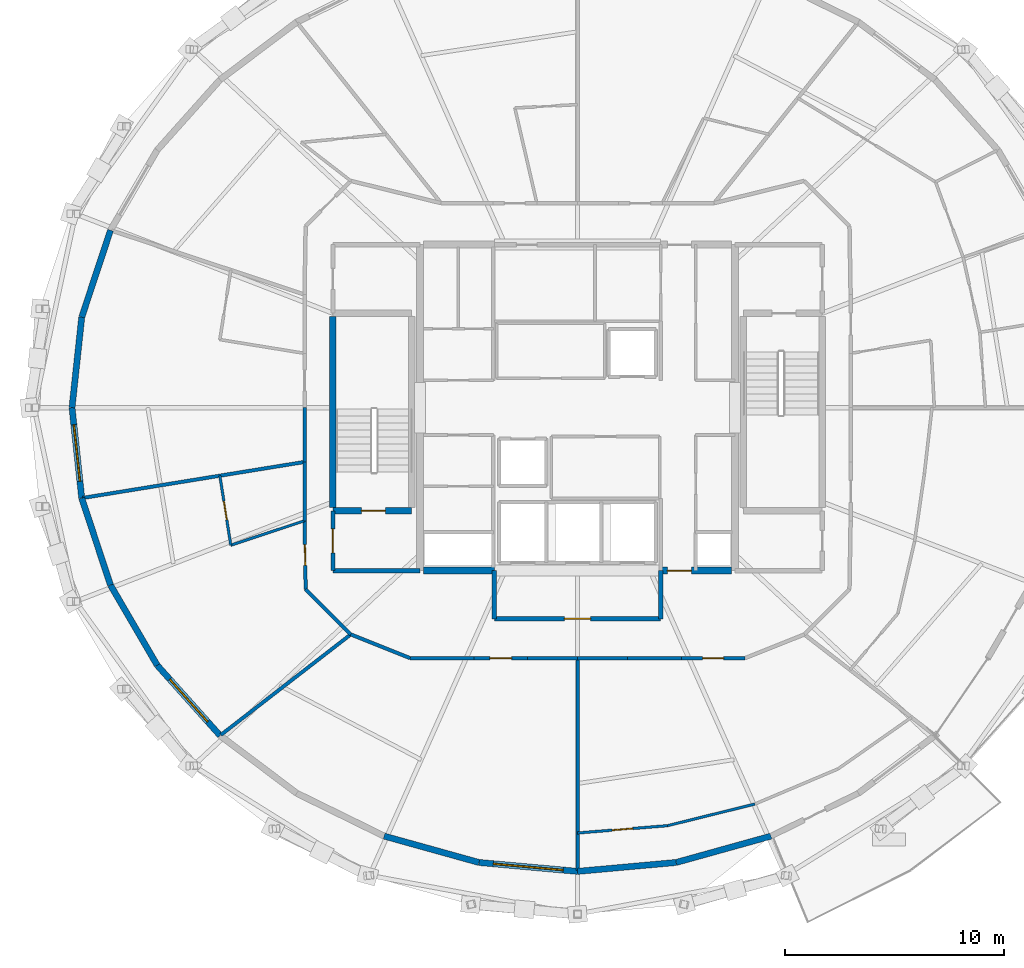
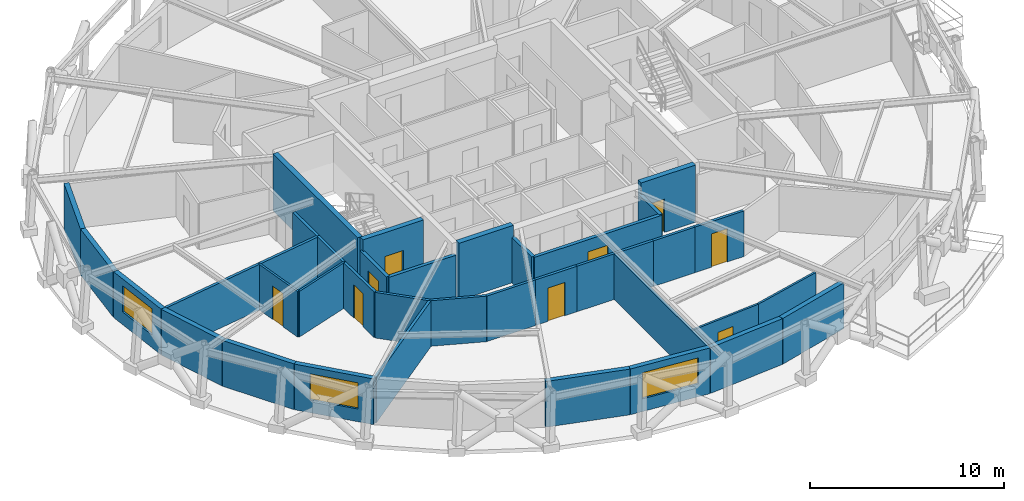
# One storey, part 7 of 12: 37 walls, 9 doors, 3 windows, 12 openings.
"""IFC4 building model written with IfcOpenShell, lengths in metres."""

from ifc_helpers import new_model, si_unit, direction, frame, frame_2d, origin, place, context, subcontext, project, spatial, rectangle, extrude, material, layer, layer_set, type_object, element, fill, save


model = new_model("IFC4")

# Units and contexts
model_context = context("Model", 3, precision=1e-05, world=origin(), true_north=direction((0.0, 1.0)))
body_context = subcontext(model_context, "Body", "Model", "MODEL_VIEW")
ifc_project = project(units=[si_unit("LENGTHUNIT", "METRE"), si_unit("AREAUNIT", "SQUARE_METRE"), si_unit("VOLUMEUNIT", "CUBIC_METRE"), si_unit("PLANEANGLEUNIT", "RADIAN"), si_unit("MASSUNIT", "GRAM", prefix="KILO")], contexts=[model_context])

# Site, building, storey
site_placement = place(None, origin())
site = spatial("IfcSite", under=ifc_project, at=site_placement, CompositionType="ELEMENT")
building_placement = place(site_placement, origin())
building = spatial("IfcBuilding", under=site, at=building_placement, Name="Veldorina Hangang Commons", CompositionType="ELEMENT")
storey_placement = place(building_placement, frame((0.0, 0.0, 222.0)))
storey = spatial("IfcBuildingStorey", under=building, at=storey_placement, Name="L57", CompositionType="ELEMENT", Elevation=222.0)

# Wall
ifc_material_1 = material(Name="Concrete C50/60", Category="concrete")
ifc_layer_1 = layer(ifc_material_1, 0.320068359375)
ifc_layer_set_1 = layer_set([ifc_layer_1], Name="Concrete C50/60")
wall_type_1 = type_object("IfcWallType", Name="CW-RC320-C50", PredefinedType="SHEAR", material=ifc_layer_set_1)
wall_1_placement = place(storey_placement, frame((24.9599609375, 16.550048828125, 0.0), z_axis=(0.0, 0.0, 1.0), x_axis=(1.0, 0.0, 0.0)))
element("IfcWall", 1, at=wall_1_placement, inside=storey, type_object=wall_type_1, Name="L57 south-west core shear wall", PredefinedType="SHEAR", context=body_context, shape_type="SweptSolid", body=[
    extrude(rectangle(XDim=3.239990234375, YDim=0.320068359375, at=frame_2d((1.6201171875, 0.0))), origin(), (0.0, 0.0, 1.0), 3.60009765625),
])

# Wall, opening, door
wall_2_placement = place(storey_placement, frame((35.800048828125, 16.550048828125, 0.0), z_axis=(0.0, 0.0, 1.0), x_axis=(1.0, 0.0, 0.0)))
wall_2 = element("IfcWall", 2, at=wall_2_placement, inside=storey, type_object=wall_type_1, Name="L57 south-east core shear wall", PredefinedType="SHEAR", context=body_context, shape_type="SweptSolid", body=[
    extrude(rectangle(XDim=3.239990234375, YDim=0.320068359375, at=frame_2d((1.6201171875, 0.0))), origin(), (0.0, 0.0, 1.0), 3.60009765625),
])
opening_1_placement = place(wall_2_placement, frame((0.300048828125, 0.0, 0.0)))
opening_1 = element("IfcOpeningElement", 3, at=opening_1_placement, cuts=wall_2, Name="Opening D-08", PredefinedType="OPENING", context=body_context, shape_type="SweptSolid", body=[
    extrude(rectangle(XDim=1.10009765625, YDim=2.10009765625, at=frame_2d((0.550048828125, 1.050048828125))), frame((0.0, 0.169921875, 0.0), z_axis=(0.0, -1.0, 0.0), x_axis=(1.0, 0.0, 0.0)), (0.0, 0.0, 1.0), 0.340087890625),
])
ifc_material_2 = material(Name="Steel Fire-Rated Smoke Seal", Category="steel")
door_type_1 = type_object("IfcDoorType", Name="DR-FIRE-1100", OperationType="SINGLE_SWING_RIGHT", PredefinedType="DOOR", material=ifc_material_2)
door_1_placement = place(opening_1_placement, origin())
door_1 = element("IfcDoor", 4, at=door_1_placement, inside=storey, type_object=door_type_1, Name="L57 central lift lobby south corridor door", OperationType="SINGLE_SWING_RIGHT", OverallHeight=2.10009765625, OverallWidth=1.10009765625, PredefinedType="DOOR", context=body_context, shape_type="SweptSolid", body=[
    extrude(rectangle(XDim=1.10009765625, YDim=2.10009765625, at=frame_2d((0.550048828125, 1.050048828125))), frame((0.0, 0.02490234375, 0.0), z_axis=(0.0, -1.0, 0.0), x_axis=(1.0, 0.0, 0.0)), (0.0, 0.0, 1.0), 0.050048828125),
])
fill(opening_1, door_1)

# Walls
ifc_material_3 = material(Name="Stone Roman Travertine", Category="masonry")
ifc_layer_2 = layer(ifc_material_3, 0.280029296875)
ifc_layer_set_2 = layer_set([ifc_layer_2], Name="Stone Roman Travertine")
wall_type_2 = type_object("IfcWallType", Name="EW-TRAV-280", PredefinedType="STANDARD", material=ifc_layer_set_2)
wall_3_placement = place(storey_placement, frame((10.6533203125, 32.11083984375, 0.0), z_axis=(0.0, 0.0, 1.0), x_axis=(-0.313988276285, -0.949426859929, 0.0)))
element("IfcWall", 5, at=wall_3_placement, inside=storey, type_object=wall_type_2, Name="L57 travertine facade wall 14", PredefinedType="STANDARD", context=body_context, shape_type="SweptSolid", body=[
    extrude(rectangle(XDim=4.18798828125, YDim=0.280029296875, at=frame_2d((2.093994140625, 0.0))), origin(), (0.0, 0.0, 1.0), 2.8798828125),
])
wall_4_placement = place(storey_placement, frame((9.33837890625, 28.134765625, 0.0), z_axis=(0.0, 0.0, 1.0), x_axis=(-0.106732123458, -0.994287812367, 0.0)))
element("IfcWall", 6, at=wall_4_placement, inside=storey, type_object=wall_type_2, Name="L57 travertine facade wall 15", PredefinedType="STANDARD", context=body_context, shape_type="SweptSolid", body=[
    extrude(rectangle(XDim=4.158447265625, YDim=0.280029296875, at=frame_2d((2.0791015625, 0.0))), origin(), (0.0, 0.0, 1.0), 2.8798828125),
])

# Wall, opening, window
wall_5_placement = place(storey_placement, frame((8.89453125, 24.0, 0.0), z_axis=(0.0, 0.0, 1.0), x_axis=(0.106732123458, -0.994287812367, 0.0)))
wall_5 = element("IfcWall", 7, at=wall_5_placement, inside=storey, type_object=wall_type_2, Name="L57 travertine facade wall 16", PredefinedType="STANDARD", context=body_context, shape_type="SweptSolid", body=[
    extrude(rectangle(XDim=4.158447265625, YDim=0.280029296875, at=frame_2d((2.0791015625, 0.0))), origin(), (0.0, 0.0, 1.0), 2.8798828125),
])
opening_2_placement = place(wall_5_placement, frame((0.779296875, 0.0, 0.800048828125)))
opening_2 = element("IfcOpeningElement", 8, at=opening_2_placement, cuts=wall_5, Name="Opening W-02", PredefinedType="OPENING", context=body_context, shape_type="SweptSolid", body=[
    extrude(rectangle(XDim=2.60009765625, YDim=1.64990234375, at=frame_2d((1.300048828125, 0.824951171875))), frame((0.0, 0.14990234375, 0.0), z_axis=(0.0, -1.0, 0.0), x_axis=(1.0, 0.0, 0.0)), (0.0, 0.0, 1.0), 0.300048828125),
])
ifc_material_4 = material(Name="Glass Low-E Triple IGU", Category="glass")
window_type_1 = type_object("IfcWindowType", Name="WIN-TWR-2600", PartitioningType="SINGLE_PANEL", PredefinedType="WINDOW", material=ifc_material_4)
window_1_placement = place(opening_2_placement, origin())
window_1 = element("IfcWindow", 9, at=window_1_placement, inside=storey, type_object=window_type_1, Name="L57 facade window 16", OverallHeight=1.64990234375, OverallWidth=2.60009765625, PartitioningType="SINGLE_PANEL", PredefinedType="WINDOW", context=body_context, shape_type="SweptSolid", body=[
    extrude(rectangle(XDim=2.60009765625, YDim=1.64990234375, at=frame_2d((1.300048828125, 0.824951171875))), frame((0.0, 0.030029296875, 0.0), z_axis=(0.0, -1.0, 0.0), x_axis=(1.0, 0.0, 0.0)), (0.0, 0.0, 1.0), 0.06005859375),
])
fill(opening_2, window_1)

# Walls
wall_6_placement = place(storey_placement, frame((9.33837890625, 19.865234375, 0.0), z_axis=(0.0, 0.0, 1.0), x_axis=(0.313988276285, -0.949426859929, 0.0)))
element("IfcWall", 10, at=wall_6_placement, inside=storey, type_object=wall_type_2, Name="L57 travertine facade wall 17", PredefinedType="STANDARD", context=body_context, shape_type="SweptSolid", body=[
    extrude(rectangle(XDim=4.18798828125, YDim=0.280029296875, at=frame_2d((2.093994140625, 0.0))), origin(), (0.0, 0.0, 1.0), 2.8798828125),
])
wall_7_placement = place(storey_placement, frame((10.6533203125, 15.88916015625, 0.0), z_axis=(0.0, 0.0, 1.0), x_axis=(0.503498718903, -0.863995972249, 0.0)))
element("IfcWall", 11, at=wall_7_placement, inside=storey, type_object=wall_type_2, Name="L57 travertine facade wall 18", PredefinedType="STANDARD", context=body_context, shape_type="SweptSolid", body=[
    extrude(rectangle(XDim=4.24072265625, YDim=0.280029296875, at=frame_2d((2.120361328125, 0.0))), origin(), (0.0, 0.0, 1.0), 2.8798828125),
])

# Wall, opening, window
wall_8_placement = place(storey_placement, frame((12.78857421875, 12.22509765625, 0.0), z_axis=(0.0, 0.0, 1.0), x_axis=(0.666726962521, -0.745302057858, 0.0)))
wall_8 = element("IfcWall", 12, at=wall_8_placement, inside=storey, type_object=wall_type_2, Name="L57 travertine facade wall 19", PredefinedType="STANDARD", context=body_context, shape_type="SweptSolid", body=[
    extrude(rectangle(XDim=4.3095703125, YDim=0.280029296875, at=frame_2d((2.15478515625, 0.0))), origin(), (0.0, 0.0, 1.0), 2.8798828125),
])
opening_3_placement = place(wall_8_placement, frame((0.854736328125, 0.0, 0.800048828125)))
opening_3 = element("IfcOpeningElement", 13, at=opening_3_placement, cuts=wall_8, Name="Opening W-02", PredefinedType="OPENING", context=body_context, shape_type="SweptSolid", body=[
    extrude(rectangle(XDim=2.60009765625, YDim=1.64990234375, at=frame_2d((1.300048828125, 0.824951171875))), frame((0.0, 0.14990234375, 0.0), z_axis=(0.0, -1.0, 0.0), x_axis=(1.0, 0.0, 0.0)), (0.0, 0.0, 1.0), 0.300048828125),
])
window_2_placement = place(opening_3_placement, origin())
window_2 = element("IfcWindow", 14, at=window_2_placement, inside=storey, type_object=window_type_1, Name="L57 facade window 19", OverallHeight=1.64990234375, OverallWidth=2.60009765625, PartitioningType="SINGLE_PANEL", PredefinedType="WINDOW", context=body_context, shape_type="SweptSolid", body=[
    extrude(rectangle(XDim=2.60009765625, YDim=1.64990234375, at=frame_2d((1.300048828125, 0.824951171875))), frame((0.0, 0.030029296875, 0.0), z_axis=(0.0, -1.0, 0.0), x_axis=(1.0, 0.0, 0.0)), (0.0, 0.0, 1.0), 0.06005859375),
])
fill(opening_3, window_2)

# Wall
wall_9_placement = place(storey_placement, frame((23.157958984375, 4.418701171875, 0.0), z_axis=(0.0, 0.0, 1.0), x_axis=(0.963397305611, -0.268077659535, 0.0)))
element("IfcWall", 15, at=wall_9_placement, inside=storey, type_object=wall_type_2, Name="L57 travertine facade wall 22", PredefinedType="STANDARD", context=body_context, shape_type="SweptSolid", body=[
    extrude(rectangle(XDim=4.498779296875, YDim=0.280029296875, at=frame_2d((2.24951171875, 0.0))), origin(), (0.0, 0.0, 1.0), 2.8798828125),
])

# Wall, opening, window
wall_10_placement = place(storey_placement, frame((27.4921875, 3.212646484375, 0.0), z_axis=(0.0, 0.0, 1.0), x_axis=(0.995944333691, -0.089971574339, 0.0)))
wall_10 = element("IfcWall", 16, at=wall_10_placement, inside=storey, type_object=wall_type_2, Name="L57 travertine facade wall 23", PredefinedType="STANDARD", context=body_context, shape_type="SweptSolid", body=[
    extrude(rectangle(XDim=4.526123046875, YDim=0.280029296875, at=frame_2d((2.26318359375, 0.0))), origin(), (0.0, 0.0, 1.0), 2.8798828125),
])
opening_4_placement = place(wall_10_placement, frame((0.6630859375, 0.0, 0.800048828125)))
opening_4 = element("IfcOpeningElement", 17, at=opening_4_placement, cuts=wall_10, Name="Opening W-01", PredefinedType="OPENING", context=body_context, shape_type="SweptSolid", body=[
    extrude(rectangle(XDim=3.199951171875, YDim=1.64990234375, at=frame_2d((1.60009765625, 0.824951171875))), frame((0.0, 0.14990234375, 0.0), z_axis=(0.0, -1.0, 0.0), x_axis=(1.0, 0.0, 0.0)), (0.0, 0.0, 1.0), 0.300048828125),
])
window_type_2 = type_object("IfcWindowType", Name="WIN-TWR-3200", PartitioningType="SINGLE_PANEL", PredefinedType="WINDOW", material=ifc_material_4)
window_3_placement = place(opening_4_placement, origin())
window_3 = element("IfcWindow", 18, at=window_3_placement, inside=storey, type_object=window_type_2, Name="L57 facade window 23", OverallHeight=1.64990234375, OverallWidth=3.199951171875, PartitioningType="SINGLE_PANEL", PredefinedType="WINDOW", context=body_context, shape_type="SweptSolid", body=[
    extrude(rectangle(XDim=3.199951171875, YDim=1.64990234375, at=frame_2d((1.60009765625, 0.824951171875))), frame((0.0, 0.030029296875, 0.0), z_axis=(0.0, -1.0, 0.0), x_axis=(1.0, 0.0, 0.0)), (0.0, 0.0, 1.0), 0.06005859375),
])
fill(opening_4, window_3)

# Walls
wall_11_placement = place(storey_placement, frame((32.0, 2.805419921875, 0.0), z_axis=(0.0, 0.0, 1.0), x_axis=(0.995944333691, 0.089971574339, 0.0)))
element("IfcWall", 19, at=wall_11_placement, inside=storey, type_object=wall_type_2, Name="L57 travertine facade wall 24", PredefinedType="STANDARD", context=body_context, shape_type="SweptSolid", body=[
    extrude(rectangle(XDim=4.526123046875, YDim=0.280029296875, at=frame_2d((2.26318359375, 0.0))), origin(), (0.0, 0.0, 1.0), 2.8798828125),
])
wall_12_placement = place(storey_placement, frame((36.5078125, 3.212646484375, 0.0), z_axis=(0.0, 0.0, 1.0), x_axis=(0.963397305611, 0.268077659535, 0.0)))
element("IfcWall", 20, at=wall_12_placement, inside=storey, type_object=wall_type_2, Name="L57 travertine facade wall 25", PredefinedType="STANDARD", context=body_context, shape_type="SweptSolid", body=[
    extrude(rectangle(XDim=4.498779296875, YDim=0.280029296875, at=frame_2d((2.24951171875, 0.0))), origin(), (0.0, 0.0, 1.0), 2.8798828125),
])
ifc_layer_3 = layer(ifc_material_1, 0.300048828125)
ifc_layer_set_3 = layer_set([ifc_layer_3], Name="Concrete C50/60")
wall_type_3 = type_object("IfcWallType", Name="SW-STAIR-300", PredefinedType="SHEAR", material=ifc_layer_set_3)
wall_13_placement = place(storey_placement, frame((20.820068359375, 19.429931640625, 0.0), z_axis=(0.0, 0.0, 1.0), x_axis=(0.0, 1.0, 0.0)))
element("IfcWall", 21, at=wall_13_placement, inside=storey, type_object=wall_type_3, Name="L57 ST1 outer stair shear wall", PredefinedType="SHEAR", context=body_context, shape_type="SweptSolid", body=[
    extrude(rectangle(XDim=8.739990234375, YDim=0.300048828125, at=frame_2d((4.3701171875, 0.0))), origin(), (0.0, 0.0, 1.0), 3.60009765625),
])

# Wall, opening, door
wall_14_placement = place(storey_placement, frame((20.820068359375, 19.280029296875, 0.0), z_axis=(0.0, 0.0, 1.0), x_axis=(1.0, 0.0, 0.0)))
wall_14 = element("IfcWall", 22, at=wall_14_placement, inside=storey, type_object=wall_type_3, Name="L57 ST1 south stair shear wall", PredefinedType="SHEAR", context=body_context, shape_type="SweptSolid", body=[
    extrude(rectangle(XDim=3.599853515625, YDim=0.300048828125, at=frame_2d((1.7998046875, 0.0))), origin(), (0.0, 0.0, 1.0), 3.60009765625),
])
opening_5_placement = place(wall_14_placement, frame((1.300048828125, 0.0, 0.0)))
opening_5 = element("IfcOpeningElement", 23, at=opening_5_placement, cuts=wall_14, Name="Opening D-08", PredefinedType="OPENING", context=body_context, shape_type="SweptSolid", body=[
    extrude(rectangle(XDim=1.10009765625, YDim=2.10009765625, at=frame_2d((0.550048828125, 1.050048828125))), frame((0.0, 0.16015625, 0.0), z_axis=(0.0, -1.0, 0.0), x_axis=(1.0, 0.0, 0.0)), (0.0, 0.0, 1.0), 0.320068359375),
])
door_2_placement = place(opening_5_placement, origin())
door_2 = element("IfcDoor", 24, at=door_2_placement, inside=storey, type_object=door_type_1, Name="L57 Special Escape Stair ST-1 door", OperationType="SINGLE_SWING_LEFT", OverallHeight=2.10009765625, OverallWidth=1.10009765625, PredefinedType="DOOR", context=body_context, shape_type="SweptSolid", body=[
    extrude(rectangle(XDim=1.10009765625, YDim=2.10009765625, at=frame_2d((0.550048828125, 1.050048828125))), frame((0.0, 0.02490234375, 0.0), z_axis=(0.0, -1.0, 0.0), x_axis=(1.0, 0.0, 0.0)), (0.0, 0.0, 1.0), 0.050048828125),
])
fill(opening_5, door_2)

# Walls
ifc_material_5 = material(Name="Gypsum Fire-Rated Twin Stud Wall", Category="gypsum")
ifc_layer_4 = layer(ifc_material_5, 0.159912109375)
ifc_layer_set_4 = layer_set([ifc_layer_4], Name="Gypsum Fire-Rated Twin Stud Wall")
wall_type_4 = type_object("IfcWallType", Name="WL-FIRE-160", PredefinedType="SOLIDWALL", material=ifc_layer_set_4)
wall_15_placement = place(storey_placement, frame((19.52001953125, 24.0, 0.0), z_axis=(0.0, 0.0, 1.0), x_axis=(0.0, -1.0, 0.0)))
element("IfcWall", 25, at=wall_15_placement, inside=storey, type_object=wall_type_4, Name="L57 Compact collar outer wall 16 070", PredefinedType="SOLIDWALL", context=body_context, shape_type="SweptSolid", body=[
    extrude(rectangle(XDim=2.482421875, YDim=0.159912109375, at=frame_2d((1.2412109375, 0.0))), origin(), (0.0, 0.0, 1.0), 2.8701171875),
])
wall_16_placement = place(storey_placement, frame((19.52001953125, 21.517578125, 0.0), z_axis=(0.0, 0.0, 1.0), x_axis=(0.0, -1.0, 0.0)))
element("IfcWall", 26, at=wall_16_placement, inside=storey, type_object=wall_type_4, Name="L57 Compact collar outer wall 17 071", PredefinedType="SOLIDWALL", context=body_context, shape_type="SweptSolid", body=[
    extrude(rectangle(XDim=2.68701171875, YDim=0.159912109375, at=frame_2d((1.343505859375, 0.0))), origin(), (0.0, 0.0, 1.0), 2.8701171875),
])

# Wall, opening, door
wall_17_placement = place(storey_placement, frame((19.52001953125, 18.83056640625, 0.0), z_axis=(0.0, 0.0, 1.0), x_axis=(0.016981035134, -0.999855811828, 0.0)))
wall_17 = element("IfcWall", 27, at=wall_17_placement, inside=storey, type_object=wall_type_4, Name="L57 Compact collar outer wall 18 072", PredefinedType="SOLIDWALL", context=body_context, shape_type="SweptSolid", body=[
    extrude(rectangle(XDim=3.13427734375, YDim=0.159912109375, at=frame_2d((1.567138671875, 0.0))), origin(), (0.0, 0.0, 1.0), 2.8701171875),
])
opening_6_placement = place(wall_17_placement, frame((1.09228515625, 0.0, 0.0)))
opening_6 = element("IfcOpeningElement", 28, at=opening_6_placement, cuts=wall_17, Name="Opening D-03", PredefinedType="OPENING", context=body_context, shape_type="SweptSolid", body=[
    extrude(rectangle(XDim=0.949951171875, YDim=2.10009765625, at=frame_2d((0.47509765625, 1.050048828125))), frame((0.0, 0.08984375, 0.0), z_axis=(0.0, -1.0, 0.0), x_axis=(1.0, 0.0, 0.0)), (0.0, 0.0, 1.0), 0.179931640625),
])
ifc_material_6 = material(Name="Timber Fire-Rated Entrance Core", Category="wood")
door_type_2 = type_object("IfcDoorType", Name="DR-UNIT-950", OperationType="SINGLE_SWING_RIGHT", PredefinedType="DOOR", material=ifc_material_6)
door_3_placement = place(opening_6_placement, origin())
door_3 = element("IfcDoor", 29, at=door_3_placement, inside=storey, type_object=door_type_2, Name="L57 Studio 7 entrance door 039", OperationType="SINGLE_SWING_LEFT", OverallHeight=2.10009765625, OverallWidth=0.949951171875, PredefinedType="DOOR", context=body_context, shape_type="SweptSolid", body=[
    extrude(rectangle(XDim=0.949951171875, YDim=2.10009765625, at=frame_2d((0.47509765625, 1.050048828125))), frame((0.0, 0.02490234375, 0.0), z_axis=(0.0, -1.0, 0.0), x_axis=(1.0, 0.0, 0.0)), (0.0, 0.0, 1.0), 0.050048828125),
])
fill(opening_6, door_3)

# Walls
wall_18_placement = place(storey_placement, frame((19.5732421875, 15.69677734375, 0.0), z_axis=(0.0, 0.0, 1.0), x_axis=(0.707106781187, -0.707106781187, 0.0)))
element("IfcWall", 30, at=wall_18_placement, inside=storey, type_object=wall_type_4, Name="L57 Compact collar outer wall 19 073", PredefinedType="SOLIDWALL", context=body_context, shape_type="SweptSolid", body=[
    extrude(rectangle(XDim=2.915771484375, YDim=0.159912109375, at=frame_2d((1.4580078125, 0.0))), origin(), (0.0, 0.0, 1.0), 2.8701171875),
])
wall_19_placement = place(storey_placement, frame((21.635009765625, 13.635009765625, 0.0), z_axis=(0.0, 0.0, 1.0), x_axis=(0.92856882165, -0.371160266542, 0.0)))
element("IfcWall", 31, at=wall_19_placement, inside=storey, type_object=wall_type_4, Name="L57 Compact collar outer wall 20 074", PredefinedType="SOLIDWALL", context=body_context, shape_type="SweptSolid", body=[
    extrude(rectangle(XDim=2.923095703125, YDim=0.159912109375, at=frame_2d((1.46142578125, 0.0))), origin(), (0.0, 0.0, 1.0), 2.8701171875),
])
wall_20_placement = place(storey_placement, frame((24.349365234375, 12.550048828125, 0.0), z_axis=(0.0, 0.0, 1.0), x_axis=(1.0, 0.0, 0.0)))
element("IfcWall", 32, at=wall_20_placement, inside=storey, type_object=wall_type_4, Name="L57 Compact collar outer wall 21 075", PredefinedType="SOLIDWALL", context=body_context, shape_type="SweptSolid", body=[
    extrude(rectangle(XDim=2.907958984375, YDim=0.159912109375, at=frame_2d((1.4541015625, 0.0))), origin(), (0.0, 0.0, 1.0), 2.8701171875),
])

# Wall, opening, door
wall_21_placement = place(storey_placement, frame((27.25732421875, 12.550048828125, 0.0), z_axis=(0.0, 0.0, 1.0), x_axis=(1.0, 0.0, 0.0)))
wall_21 = element("IfcWall", 33, at=wall_21_placement, inside=storey, type_object=wall_type_4, Name="L57 Compact collar outer wall 22 076", PredefinedType="SOLIDWALL", context=body_context, shape_type="SweptSolid", body=[
    extrude(rectangle(XDim=2.465087890625, YDim=0.159912109375, at=frame_2d((1.232421875, 0.0))), origin(), (0.0, 0.0, 1.0), 2.8701171875),
])
opening_7_placement = place(wall_21_placement, frame((0.732666015625, 0.0, 0.0)))
opening_7 = element("IfcOpeningElement", 34, at=opening_7_placement, cuts=wall_21, Name="Opening D-05", PredefinedType="OPENING", context=body_context, shape_type="SweptSolid", body=[
    extrude(rectangle(XDim=1.0, YDim=2.10009765625, at=frame_2d((0.5, 1.050048828125))), frame((0.0, 0.08984375, 0.0), z_axis=(0.0, -1.0, 0.0), x_axis=(1.0, 0.0, 0.0)), (0.0, 0.0, 1.0), 0.179931640625),
])
ifc_material_7 = material(Name="Timber Solid Core Acoustic", Category="wood")
door_type_3 = type_object("IfcDoorType", Name="DR-INT-1000", OperationType="SINGLE_SWING_RIGHT", PredefinedType="DOOR", material=ifc_material_7)
door_4_placement = place(opening_7_placement, origin())
door_4 = element("IfcDoor", 35, at=door_4_placement, inside=storey, type_object=door_type_3, Name="L57 Floor Study Room 8 door 040", OperationType="SINGLE_SWING_RIGHT", OverallHeight=2.10009765625, OverallWidth=1.0, PredefinedType="DOOR", context=body_context, shape_type="SweptSolid", body=[
    extrude(rectangle(XDim=1.0, YDim=2.10009765625, at=frame_2d((0.5, 1.050048828125))), frame((0.0, 0.02490234375, 0.0), z_axis=(0.0, -1.0, 0.0), x_axis=(1.0, 0.0, 0.0)), (0.0, 0.0, 1.0), 0.050048828125),
])
fill(opening_7, door_4)

# Walls
for number, where, z_axis, x_axis, name in (
    (36, (29.722412109375, 12.550048828125, 0.0), (0.0, 0.0, 1.0), (1.0, 0.0, 0.0), "L57 Compact collar outer wall 23 077"),
    (37, (32.0, 12.550048828125, 0.0), (0.0, 0.0, 1.0), (1.0, 0.0, 0.0), "L57 Compact collar outer wall 24 078"),
):
    element("IfcWall", number, at=place(storey_placement, frame(where, z_axis=z_axis, x_axis=x_axis)), inside=storey, type_object=wall_type_4, Name=name, PredefinedType="SOLIDWALL", context=body_context, shape_type="SweptSolid", body=[
        extrude(rectangle(XDim=2.277587890625, YDim=0.159912109375, at=frame_2d((1.138671875, 0.0))), origin(), (0.0, 0.0, 1.0), 2.8701171875),
    ])
wall_22_placement = place(storey_placement, frame((34.277587890625, 12.550048828125, 0.0), z_axis=(0.0, 0.0, 1.0), x_axis=(1.0, 0.0, 0.0)))
element("IfcWall", 38, at=wall_22_placement, inside=storey, type_object=wall_type_4, Name="L57 Compact collar outer wall 25 079", PredefinedType="SOLIDWALL", context=body_context, shape_type="SweptSolid", body=[
    extrude(rectangle(XDim=2.465087890625, YDim=0.159912109375, at=frame_2d((1.232421875, 0.0))), origin(), (0.0, 0.0, 1.0), 2.8701171875),
])

# Wall, opening, door
wall_23_placement = place(storey_placement, frame((36.74267578125, 12.550048828125, 0.0), z_axis=(0.0, 0.0, 1.0), x_axis=(1.0, 0.0, 0.0)))
wall_23 = element("IfcWall", 39, at=wall_23_placement, inside=storey, type_object=wall_type_4, Name="L57 Compact collar outer wall 26 080", PredefinedType="SOLIDWALL", context=body_context, shape_type="SweptSolid", body=[
    extrude(rectangle(XDim=2.907958984375, YDim=0.159912109375, at=frame_2d((1.4541015625, 0.0))), origin(), (0.0, 0.0, 1.0), 2.8701171875),
])
opening_8_placement = place(wall_23_placement, frame((0.97900390625, 0.0, 0.0)))
opening_8 = element("IfcOpeningElement", 40, at=opening_8_placement, cuts=wall_23, Name="Opening D-02", PredefinedType="OPENING", context=body_context, shape_type="SweptSolid", body=[
    extrude(rectangle(XDim=0.949951171875, YDim=2.10009765625, at=frame_2d((0.47509765625, 1.050048828125))), frame((0.0, 0.08984375, 0.0), z_axis=(0.0, -1.0, 0.0), x_axis=(1.0, 0.0, 0.0)), (0.0, 0.0, 1.0), 0.179931640625),
])
door_type_4 = type_object("IfcDoorType", Name="DR-INT-950", OperationType="SINGLE_SWING_LEFT", PredefinedType="DOOR", material=ifc_material_7)
door_5_placement = place(opening_8_placement, origin())
door_5 = element("IfcDoor", 41, at=door_5_placement, inside=storey, type_object=door_type_4, Name="L57 Linen drying store door 041", OperationType="SINGLE_SWING_LEFT", OverallHeight=2.10009765625, OverallWidth=0.949951171875, PredefinedType="DOOR", context=body_context, shape_type="SweptSolid", body=[
    extrude(rectangle(XDim=0.949951171875, YDim=2.10009765625, at=frame_2d((0.47509765625, 1.050048828125))), frame((0.0, 0.02490234375, 0.0), z_axis=(0.0, -1.0, 0.0), x_axis=(1.0, 0.0, 0.0)), (0.0, 0.0, 1.0), 0.050048828125),
])
fill(opening_8, door_5)

# Walls
wall_24_placement = place(storey_placement, frame((19.52001953125, 21.517578125, 0.0), z_axis=(0.0, 0.0, 1.0), x_axis=(-0.987086273653, -0.16018953888, 0.0)))
element("IfcWall", 42, at=wall_24_placement, inside=storey, type_object=wall_type_4, Name="L57 Unit party wall 17 113", PredefinedType="SOLIDWALL", context=body_context, shape_type="SweptSolid", body=[
    extrude(rectangle(XDim=10.2646484375, YDim=0.159912109375, at=frame_2d((5.13232421875, 0.0))), origin(), (0.0, 0.0, 1.0), 2.8701171875),
])
wall_25_placement = place(storey_placement, frame((21.635009765625, 13.635009765625, 0.0), z_axis=(0.0, 0.0, 1.0), x_axis=(-0.790881200299, -0.611969710863, 0.0)))
element("IfcWall", 43, at=wall_25_placement, inside=storey, type_object=wall_type_4, Name="L57 Unit party wall 20 116", PredefinedType="SOLIDWALL", context=body_context, shape_type="SweptSolid", body=[
    extrude(rectangle(XDim=7.50244140625, YDim=0.159912109375, at=frame_2d((3.751220703125, 0.0))), origin(), (0.0, 0.0, 1.0), 2.8701171875),
])
wall_26_placement = place(storey_placement, frame((32.0, 12.550048828125, 0.0), z_axis=(0.0, 0.0, 1.0), x_axis=(0.0, -1.0, 0.0)))
element("IfcWall", 44, at=wall_26_placement, inside=storey, type_object=wall_type_4, Name="L57 Unit party wall 24 117", PredefinedType="SOLIDWALL", context=body_context, shape_type="SweptSolid", body=[
    extrude(rectangle(XDim=9.694580078125, YDim=0.159912109375, at=frame_2d((4.84716796875, 0.0))), origin(), (0.0, 0.0, 1.0), 2.8701171875),
])

# Wall, opening, door
ifc_material_8 = material(Name="Concrete Blockwork Fire Wall C30/37", Category="masonry")
ifc_layer_5 = layer(ifc_material_8, 0.199951171875)
ifc_layer_set_5 = layer_set([ifc_layer_5], Name="Concrete Blockwork Fire Wall C30/37")
wall_type_5 = type_object("IfcWallType", Name="WL-FIRE-200", PredefinedType="SOLIDWALL", material=ifc_layer_set_5)
wall_27_placement = place(storey_placement, frame((20.820068359375, 16.550048828125, 0.0), z_axis=(0.0, 0.0, 1.0), x_axis=(0.0, 1.0, 0.0)))
wall_27 = element("IfcWall", 45, at=wall_27_placement, inside=storey, type_object=wall_type_5, Name="L57 West vestibule outer wall 001", PredefinedType="SOLIDWALL", context=body_context, shape_type="SweptSolid", body=[
    extrude(rectangle(XDim=2.72998046875, YDim=0.199951171875, at=frame_2d((1.364990234375, 0.0))), origin(), (0.0, 0.0, 1.0), 2.8701171875),
])
opening_9_placement = place(wall_27_placement, frame((0.81494140625, 0.0, 0.0)))
opening_9 = element("IfcOpeningElement", 46, at=opening_9_placement, cuts=wall_27, Name="Opening D-08", PredefinedType="OPENING", context=body_context, shape_type="SweptSolid", body=[
    extrude(rectangle(XDim=1.10009765625, YDim=2.10009765625, at=frame_2d((0.550048828125, 1.050048828125))), frame((0.0, 0.10986328125, 0.0), z_axis=(0.0, -1.0, 0.0), x_axis=(1.0, 0.0, 0.0)), (0.0, 0.0, 1.0), 0.219970703125),
])
door_6_placement = place(opening_9_placement, origin())
door_6 = element("IfcDoor", 47, at=door_6_placement, inside=storey, type_object=door_type_1, Name="L57 West vestibule west door 001", OperationType="SINGLE_SWING_LEFT", OverallHeight=2.10009765625, OverallWidth=1.10009765625, PredefinedType="DOOR", context=body_context, shape_type="SweptSolid", body=[
    extrude(rectangle(XDim=1.10009765625, YDim=2.10009765625, at=frame_2d((0.550048828125, 1.050048828125))), frame((0.0, 0.02490234375, 0.0), z_axis=(0.0, -1.0, 0.0), x_axis=(1.0, 0.0, 0.0)), (0.0, 0.0, 1.0), 0.050048828125),
])
fill(opening_9, door_6)

# Walls
wall_28_placement = place(storey_placement, frame((20.820068359375, 16.550048828125, 0.0), z_axis=(0.0, 0.0, 1.0), x_axis=(1.0, 0.0, 0.0)))
element("IfcWall", 48, at=wall_28_placement, inside=storey, type_object=wall_type_5, Name="L57 West vestibule south wall 002", PredefinedType="SOLIDWALL", context=body_context, shape_type="SweptSolid", body=[
    extrude(rectangle(XDim=3.97998046875, YDim=0.199951171875, at=frame_2d((1.989990234375, 0.0))), origin(), (0.0, 0.0, 1.0), 2.8701171875),
])
for number, where, z_axis, x_axis, name in (
    (49, (28.199951171875, 14.35009765625, 0.0), (0.0, 0.0, 1.0), (0.0, 1.0, 0.0), "L57 FF lobby west wall 012"),
    (50, (35.800048828125, 14.35009765625, 0.0), (0.0, 0.0, 1.0), (0.0, 1.0, 0.0), "L57 FF lobby east wall 013"),
):
    element("IfcWall", number, at=place(storey_placement, frame(where, z_axis=z_axis, x_axis=x_axis)), inside=storey, type_object=wall_type_5, Name=name, PredefinedType="SOLIDWALL", context=body_context, shape_type="SweptSolid", body=[
        extrude(rectangle(XDim=2.199951171875, YDim=0.199951171875, at=frame_2d((1.10009765625, 0.0))), origin(), (0.0, 0.0, 1.0), 2.8701171875),
    ])

# Wall, opening, door
wall_29_placement = place(storey_placement, frame((28.199951171875, 14.35009765625, 0.0), z_axis=(0.0, 0.0, 1.0), x_axis=(1.0, 0.0, 0.0)))
wall_29 = element("IfcWall", 51, at=wall_29_placement, inside=storey, type_object=wall_type_5, Name="L57 FF lobby south wall 014", PredefinedType="SOLIDWALL", context=body_context, shape_type="SweptSolid", body=[
    extrude(rectangle(XDim=7.60009765625, YDim=0.199951171875, at=frame_2d((3.800048828125, 0.0))), origin(), (0.0, 0.0, 1.0), 2.8701171875),
])
opening_10_placement = place(wall_29_placement, frame((3.199951171875, 0.0, 0.0)))
opening_10 = element("IfcOpeningElement", 52, at=opening_10_placement, cuts=wall_29, Name="Opening D-09", PredefinedType="OPENING", context=body_context, shape_type="SweptSolid", body=[
    extrude(rectangle(XDim=1.199951171875, YDim=2.10009765625, at=frame_2d((0.60009765625, 1.050048828125))), frame((0.0, 0.10986328125, 0.0), z_axis=(0.0, -1.0, 0.0), x_axis=(1.0, 0.0, 0.0)), (0.0, 0.0, 1.0), 0.219970703125),
])
ifc_material_9 = material(Name="Steel Fire-Rated Corridor Door", Category="steel")
door_type_5 = type_object("IfcDoorType", Name="DR-FIRE-1200", OperationType="SINGLE_SWING_LEFT", PredefinedType="DOOR", material=ifc_material_9)
door_7_placement = place(opening_10_placement, origin())
door_7 = element("IfcDoor", 53, at=door_7_placement, inside=storey, type_object=door_type_5, Name="L57 FF lobby south corridor door 005", OperationType="SINGLE_SWING_LEFT", OverallHeight=2.10009765625, OverallWidth=1.199951171875, PredefinedType="DOOR", context=body_context, shape_type="SweptSolid", body=[
    extrude(rectangle(XDim=1.199951171875, YDim=2.10009765625, at=frame_2d((0.60009765625, 1.050048828125))), frame((0.0, 0.02490234375, 0.0), z_axis=(0.0, -1.0, 0.0), x_axis=(1.0, 0.0, 0.0)), (0.0, 0.0, 1.0), 0.050048828125),
])
fill(opening_10, door_7)

ifc_material_10 = material(Name="Gypsum Acoustic Stud Partition", Category="gypsum")
ifc_layer_6 = layer(ifc_material_10, 0.1201171875)
ifc_layer_set_6 = layer_set([ifc_layer_6], Name="Gypsum Acoustic Stud Partition")
wall_type_6 = type_object("IfcWallType", Name="WL-PART-120", PredefinedType="PARTITIONING", material=ifc_layer_set_6)
wall_30_placement = place(storey_placement, frame((15.65087890625, 20.8896484375, 0.0), z_axis=(0.0, 0.0, 1.0), x_axis=(0.15540506101, -0.987850832369, 0.0)))
wall_30 = element("IfcWall", 54, at=wall_30_placement, inside=storey, type_object=wall_type_6, Name="L57 Studio 7 bath front wall 114", PredefinedType="PARTITIONING", context=body_context, shape_type="SweptSolid", body=[
    extrude(rectangle(XDim=3.2158203125, YDim=0.1201171875, at=frame_2d((1.60791015625, 0.0))), origin(), (0.0, 0.0, 1.0), 2.8701171875),
])
opening_11_placement = place(wall_30_placement, frame((1.177978515625, 0.0, 0.0)))
opening_11 = element("IfcOpeningElement", 55, at=opening_11_placement, cuts=wall_30, Name="Opening D-01", PredefinedType="OPENING", context=body_context, shape_type="SweptSolid", body=[
    extrude(rectangle(XDim=0.860107421875, YDim=2.10009765625, at=frame_2d((0.43017578125, 1.050048828125))), frame((0.0, 0.070068359375, 0.0), z_axis=(0.0, -1.0, 0.0), x_axis=(1.0, 0.0, 0.0)), (0.0, 0.0, 1.0), 0.14013671875),
])
ifc_material_11 = material(Name="Timber Moisture-Resistant Core", Category="wood")
door_type_6 = type_object("IfcDoorType", Name="DR-WET-860", OperationType="SINGLE_SWING_LEFT", PredefinedType="DOOR", material=ifc_material_11)
door_8_placement = place(opening_11_placement, origin())
door_8 = element("IfcDoor", 56, at=door_8_placement, inside=storey, type_object=door_type_6, Name="L57 Studio 7 bathroom door 038", OperationType="SINGLE_SWING_RIGHT", OverallHeight=2.10009765625, OverallWidth=0.860107421875, PredefinedType="DOOR", context=body_context, shape_type="SweptSolid", body=[
    extrude(rectangle(XDim=0.860107421875, YDim=2.10009765625, at=frame_2d((0.43017578125, 1.050048828125))), frame((0.0, 0.02490234375, 0.0), z_axis=(0.0, -1.0, 0.0), x_axis=(1.0, 0.0, 0.0)), (0.0, 0.0, 1.0), 0.050048828125),
])
fill(opening_11, door_8)

# Wall
wall_31_placement = place(storey_placement, frame((19.52001953125, 18.83056640625, 0.0), z_axis=(0.0, 0.0, 1.0), x_axis=(-0.949143073376, -0.314845082959, 0.0)))
element("IfcWall", 57, at=wall_31_placement, inside=storey, type_object=wall_type_6, Name="L57 Studio 7 bath side wall 115", PredefinedType="PARTITIONING", context=body_context, shape_type="SweptSolid", body=[
    extrude(rectangle(XDim=3.5498046875, YDim=0.1201171875, at=frame_2d((1.77490234375, 0.0))), origin(), (0.0, 0.0, 1.0), 2.8701171875),
])

# Wall, opening, door
wall_32_placement = place(storey_placement, frame((32.0, 4.5595703125, 0.0), z_axis=(0.0, 0.0, 1.0), x_axis=(0.996713289311, 0.081009992656, 0.0)))
wall_32 = element("IfcWall", 58, at=wall_32_placement, inside=storey, type_object=wall_type_6, Name="L57 Laundry split 0 118", PredefinedType="PARTITIONING", context=body_context, shape_type="SweptSolid", body=[
    extrude(rectangle(XDim=4.11962890625, YDim=0.1201171875, at=frame_2d((2.059814453125, 0.0))), origin(), (0.0, 0.0, 1.0), 2.8701171875),
])
opening_12_placement = place(wall_32_placement, frame((1.5849609375, 0.0, 0.0)))
opening_12 = element("IfcOpeningElement", 59, at=opening_12_placement, cuts=wall_32, Name="Opening D-02", PredefinedType="OPENING", context=body_context, shape_type="SweptSolid", body=[
    extrude(rectangle(XDim=0.949951171875, YDim=2.10009765625, at=frame_2d((0.47509765625, 1.050048828125))), frame((0.0, 0.070068359375, 0.0), z_axis=(0.0, -1.0, 0.0), x_axis=(1.0, 0.0, 0.0)), (0.0, 0.0, 1.0), 0.14013671875),
])
door_9_placement = place(opening_12_placement, origin())
door_9 = element("IfcDoor", 60, at=door_9_placement, inside=storey, type_object=door_type_4, Name="L57 Resident laundry inner door 042", OperationType="SINGLE_SWING_RIGHT", OverallHeight=2.10009765625, OverallWidth=0.949951171875, PredefinedType="DOOR", context=body_context, shape_type="SweptSolid", body=[
    extrude(rectangle(XDim=0.949951171875, YDim=2.10009765625, at=frame_2d((0.47509765625, 1.050048828125))), frame((0.0, 0.02490234375, 0.0), z_axis=(0.0, -1.0, 0.0), x_axis=(1.0, 0.0, 0.0)), (0.0, 0.0, 1.0), 0.050048828125),
])
fill(opening_12, door_9)

# Wall
wall_33_placement = place(storey_placement, frame((36.106201171875, 4.893310546875, 0.0), z_axis=(0.0, 0.0, 1.0), x_axis=(0.970739289511, 0.240135861127, 0.0)))
element("IfcWall", 61, at=wall_33_placement, inside=storey, type_object=wall_type_6, Name="L57 Laundry split 1 119", PredefinedType="PARTITIONING", context=body_context, shape_type="SweptSolid", body=[
    extrude(rectangle(XDim=4.11865234375, YDim=0.1201171875, at=frame_2d((2.059326171875, 0.0))), origin(), (0.0, 0.0, 1.0), 2.8701171875),
])

save(model, "model.ifc")
